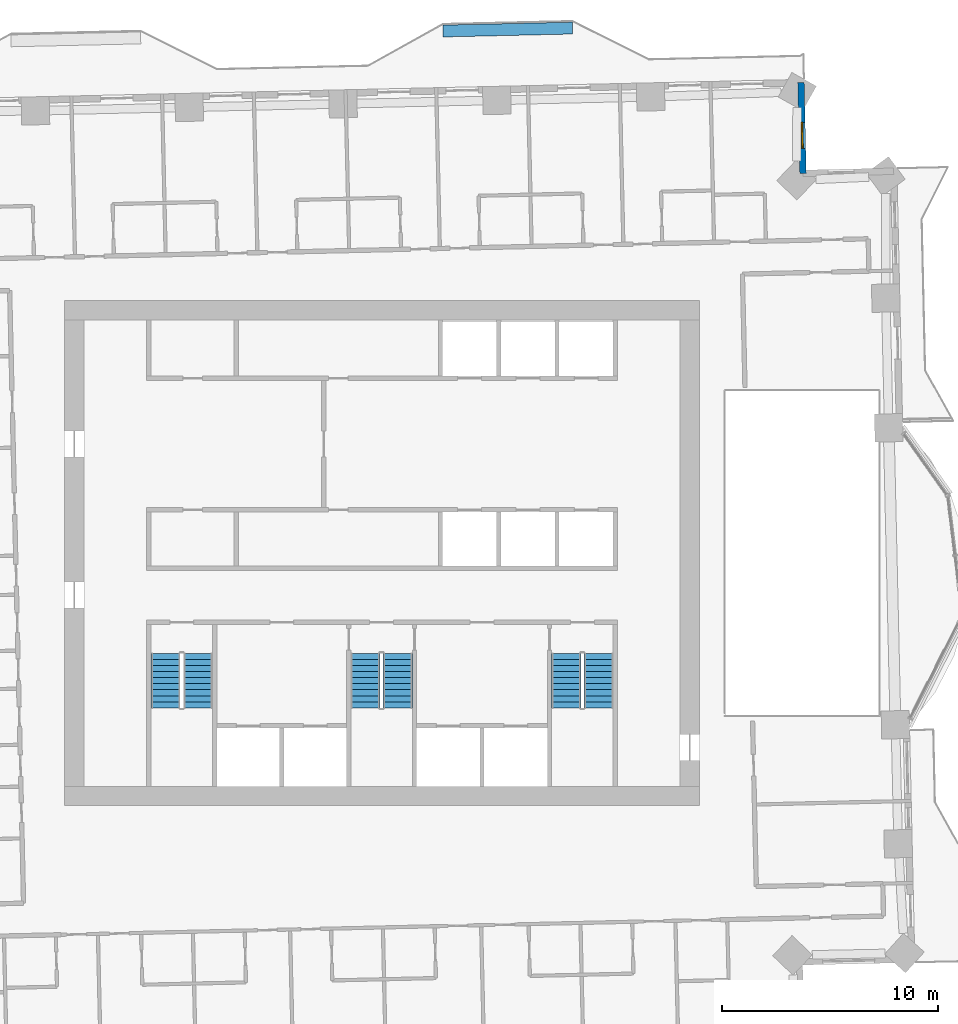
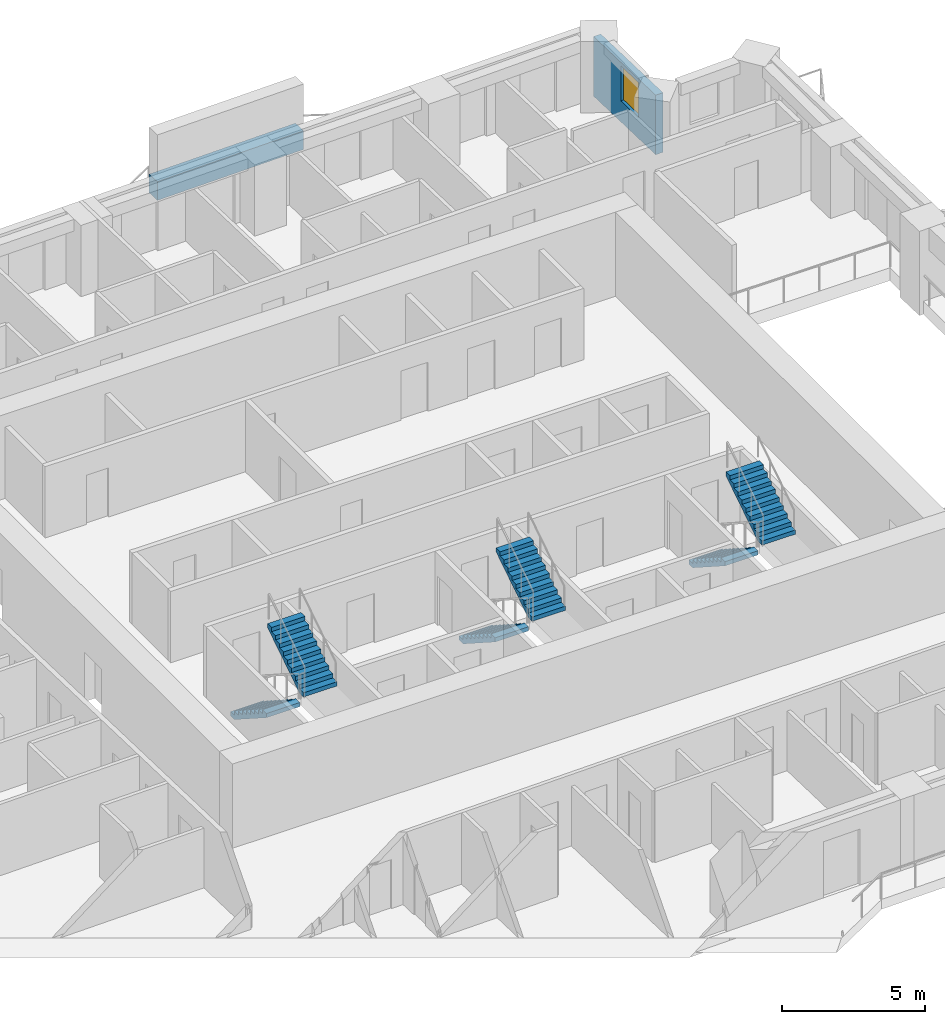
# One storey, part 12 of 16: 6 stair flights, 2 walls, 1 window, 1 opening, 3 elements without a shape of their own.
"""IFC4 building model written with IfcOpenShell, lengths in metres."""

from ifc_helpers import new_model, si_unit, direction, frame, frame_2d, origin, place, context, subcontext, project, spatial, polyline, rectangle, outline, extrude, material, layer, layer_set, type_object, element, fill, aggregate, save


model = new_model("IFC4")

# Units and contexts
model_context = context("Model", 3, precision=1e-05, world=origin(), true_north=direction((0.0, 1.0)))
body_context = subcontext(model_context, "Body", "Model", "MODEL_VIEW")
ifc_project = project(units=[si_unit("LENGTHUNIT", "METRE"), si_unit("AREAUNIT", "SQUARE_METRE"), si_unit("VOLUMEUNIT", "CUBIC_METRE"), si_unit("PLANEANGLEUNIT", "RADIAN"), si_unit("MASSUNIT", "GRAM", prefix="KILO")], contexts=[model_context])

# Site, building, storey
site_placement = place(None, origin())
site = spatial("IfcSite", under=ifc_project, at=site_placement, CompositionType="ELEMENT")
building_placement = place(site_placement, origin())
building = spatial("IfcBuilding", under=site, at=building_placement, Name="Mangrove Gate Tower", CompositionType="ELEMENT")
storey_placement = place(building_placement, frame((0.0, 0.0, 140.89990234375)))
storey = spatial("IfcBuildingStorey", under=building, at=storey_placement, Name="L35", CompositionType="ELEMENT", Elevation=140.89990234375)

# Wall, opening, window
ifc_material_1 = material(Name="Limestone", Category="masonry")
ifc_layer_1 = layer(ifc_material_1, 0.0400390625, Name="Limestone cladding")
ifc_material_2 = material(Name="Ventilated air gap")
ifc_layer_2 = layer(ifc_material_2, 0.0400390625, Name="Ventilated cavity")
ifc_material_3 = material(Name="Mineral wool insulation")
ifc_layer_3 = layer(ifc_material_3, 0.06005859375, Name="Insulation")
ifc_material_4 = material(Name="Breather membrane")
ifc_layer_4 = layer(ifc_material_4, 0.001953125, Name="Breather membrane")
ifc_material_5 = material(Name="Concrete C20/25 blockwork", Category="masonry")
ifc_layer_5 = layer(ifc_material_5, 0.14990234375, Name="Blockwork backing wall")
ifc_material_6 = material(Name="Gypsum plaster")
ifc_layer_6 = layer(ifc_material_6, 0.008056640625, Name="Internal plaster")
ifc_layer_set_1 = layer_set([ifc_layer_1, ifc_layer_2, ifc_layer_3, ifc_layer_4, ifc_layer_5, ifc_layer_6], Name="External wall 300 limestone cladding")
wall_type_1 = type_object("IfcWallType", Name="External wall 300 limestone cladding", PredefinedType="SOLIDWALL", material=ifc_layer_set_1)
wall_1_placement = place(storey_placement, frame((19.490966796875, 17.5830078125, 0.0), z_axis=(0.0, 0.0, 1.0), x_axis=(-0.022611811187, 0.999744320311, 0.0)))
wall_1 = element("IfcWall", 1, at=wall_1_placement, inside=storey, type_object=wall_type_1, Name="WALL-L35-E4", PredefinedType="SOLIDWALL", context=body_context, shape_type="SweptSolid", body=[
    extrude(rectangle(XDim=4.199951171875, YDim=0.300048828125, at=frame_2d((2.10009765625, 0.0))), origin(), (0.0, 0.0, 1.0), 2.550048828125),
])
opening_placement = place(wall_1_placement, frame((1.155029296875, 0.0, 0.89990234375)))
opening = element("IfcOpeningElement", 2, at=opening_placement, cuts=wall_1, Name="Opening W1", PredefinedType="OPENING", context=body_context, shape_type="SweptSolid", body=[
    extrude(rectangle(XDim=1.199951171875, YDim=1.5, at=frame_2d((0.60009765625, 0.75))), frame((0.0, 0.159912109375, 0.0), z_axis=(0.0, -1.0, 0.0), x_axis=(1.0, 0.0, 0.0)), (0.0, 0.0, 1.0), 0.320068359375),
])
ifc_material_7 = material(Name="Aluminium frame with double-glazed low-e glass", Category="aluminium")
window_type = type_object("IfcWindowType", Name="Side lite 1200x1500", PartitioningType="SINGLE_PANEL", PredefinedType="WINDOW", material=ifc_material_7)
window_placement = place(opening_placement, origin())
window = element("IfcWindow", 3, at=window_placement, inside=storey, type_object=window_type, Name="WIN-L35-E4-1", OverallHeight=1.5, OverallWidth=1.199951171875, PartitioningType="SINGLE_PANEL", PredefinedType="WINDOW", context=body_context, shape_type="SweptSolid", body=[
    extrude(rectangle(XDim=1.199951171875, YDim=1.5, at=frame_2d((0.60009765625, 0.75))), frame((0.0, 0.030029296875, 0.0), z_axis=(0.0, -1.0, 0.0), x_axis=(1.0, 0.0, 0.0)), (0.0, 0.0, 1.0), 0.06005859375),
])
fill(opening, window)

# Wall
ifc_material_8 = material(Name="Concrete C32/40", Category="concrete")
ifc_layer_7 = layer(ifc_material_8, 0.199951171875, Name="Planter trough wall")
ifc_material_9 = material(Name="Bituminous waterproofing membrane")
ifc_layer_8 = layer(ifc_material_9, 0.0048828125, Name="Waterproofing")
ifc_material_10 = material(Name="Drainage board and gravel")
ifc_layer_9 = layer(ifc_material_10, 0.044921875, Name="Drainage layer")
ifc_material_11 = material(Name="Planting soil")
ifc_layer_10 = layer(ifc_material_11, 0.300048828125, Name="Growing medium")
ifc_layer_set_2 = layer_set([ifc_layer_7, ifc_layer_8, ifc_layer_9, ifc_layer_10], Name="Planter wall 550 C32/40")
wall_type_2 = type_object("IfcWallType", Name="Planter wall 550 C32/40", PredefinedType="USERDEFINED", material=ifc_layer_set_2)
wall_2_placement = place(storey_placement, frame((2.81494140625, 24.172119140625, 0.0), z_axis=(0.0, 0.0, 1.0), x_axis=(0.999743094499, 0.022665943652, 0.0)))
element("IfcWall", 4, at=wall_2_placement, inside=storey, type_object=wall_type_2, Name="PLANTER L35 N0.1", ObjectType="PLANTER", PredefinedType="USERDEFINED", context=body_context, shape_type="SweptSolid", body=[
    extrude(rectangle(XDim=5.99951171875, YDim=0.550048828125, at=frame_2d((2.999755859375, 0.0))), origin(), (0.0, 0.0, 1.0), 0.800048828125),
])

# Stair, stair flights
ifc_material_12 = material(Name="Concrete C40/50", Category="concrete")
stair_type = type_object("IfcStairType", Name="Core stair 1350", PredefinedType="HALF_TURN_STAIR", material=ifc_material_12)
stair_1_placement = place(storey_placement, origin())
stair_1 = element("IfcStair", 5, at=stair_1_placement, inside=storey, type_object=stair_type, Name="L35 Stair 1", PredefinedType="HALF_TURN_STAIR")
ifc_material_13 = material(Name="Concrete C40/50", Category="concrete")
stair_flight_type = type_object("IfcStairFlightType", Name="Core stair flight 1350", PredefinedType="STRAIGHT", material=ifc_material_13)
stair_flight_1_placement = place(storey_placement, frame((-10.02490234375, -4.64990234375, 0.0), z_axis=(0.0, 0.0, 1.0), x_axis=(0.0, -1.0, 0.0)))
stair_flight_1 = element("IfcStairFlight", 6, at=stair_flight_1_placement, type_object=stair_flight_type, Name="ST1 flight 1", NumberOfRisers=10, NumberOfTreads=9, PredefinedType="STRAIGHT", RiserHeight=0.18, TreadLength=0.28, context=body_context, shape_type="SweptSolid", body=[
    extrude(outline(polyline([(0.0, 0.0), (0.0, 0.179931640625), (0.280029296875, 0.179931640625), (0.280029296875, 0.360107421875), (0.56005859375, 0.360107421875), (0.56005859375, 0.5400390625), (0.840087890625, 0.5400390625), (0.840087890625, 0.719970703125), (1.1201171875, 0.719970703125), (1.1201171875, 0.89990234375), (1.39990234375, 0.89990234375), (1.39990234375, 1.080078125), (1.679931640625, 1.080078125), (1.679931640625, 1.260009765625), (1.9599609375, 1.260009765625), (1.9599609375, 1.43994140625), (2.239990234375, 1.43994140625), (2.239990234375, 1.6201171875), (2.52001953125, 1.6201171875), (2.52001953125, 1.800048828125), (2.52001953125, 1.44189453125), (0.277099609375, 0.0), (0.0, 0.0)])), frame((0.0, 0.675048828125, 0.0), z_axis=(0.0, -1.0, 0.0), x_axis=(1.0, 0.0, 0.0)), (0.0, 0.0, 1.0), 1.35009765625),
])
stair_flight_2_placement = place(storey_placement, frame((-8.52490234375, -7.169921875, 1.800048828125), z_axis=(0.0, 0.0, 1.0), x_axis=(0.0, 1.0, 0.0)))
stair_flight_2 = element("IfcStairFlight", 7, at=stair_flight_2_placement, type_object=stair_flight_type, Name="ST1 flight 2", NumberOfRisers=10, NumberOfTreads=9, PredefinedType="STRAIGHT", RiserHeight=0.18, TreadLength=0.28, context=body_context, shape_type="SweptSolid", body=[
    extrude(outline(polyline([(0.0, 0.0), (0.0, 0.179931640625), (0.280029296875, 0.179931640625), (0.280029296875, 0.360107421875), (0.56005859375, 0.360107421875), (0.56005859375, 0.5400390625), (0.840087890625, 0.5400390625), (0.840087890625, 0.719970703125), (1.1201171875, 0.719970703125), (1.1201171875, 0.89990234375), (1.39990234375, 0.89990234375), (1.39990234375, 1.080078125), (1.679931640625, 1.080078125), (1.679931640625, 1.260009765625), (1.9599609375, 1.260009765625), (1.9599609375, 1.43994140625), (2.239990234375, 1.43994140625), (2.239990234375, 1.6201171875), (2.52001953125, 1.6201171875), (2.52001953125, 1.800048828125), (2.52001953125, 1.44189453125), (0.277099609375, 0.0), (0.0, 0.0)])), frame((0.0, 0.675048828125, 0.0), z_axis=(0.0, -1.0, 0.0), x_axis=(1.0, 0.0, 0.0)), (0.0, 0.0, 1.0), 1.35009765625),
])
aggregate(stair_1, [stair_flight_1, stair_flight_2])

stair_2_placement = place(storey_placement, origin())
stair_2 = element("IfcStair", 8, at=stair_2_placement, inside=storey, type_object=stair_type, Name="L35 Stair 2", PredefinedType="HALF_TURN_STAIR")
stair_flight_3_placement = place(storey_placement, frame((-0.77490234375, -4.64990234375, 0.0), z_axis=(0.0, 0.0, 1.0), x_axis=(0.0, -1.0, 0.0)))
stair_flight_3 = element("IfcStairFlight", 9, at=stair_flight_3_placement, type_object=stair_flight_type, Name="ST2 flight 1", NumberOfRisers=10, NumberOfTreads=9, PredefinedType="STRAIGHT", RiserHeight=0.18, TreadLength=0.28, context=body_context, shape_type="SweptSolid", body=[
    extrude(outline(polyline([(0.0, 0.0), (0.0, 0.179931640625), (0.280029296875, 0.179931640625), (0.280029296875, 0.360107421875), (0.56005859375, 0.360107421875), (0.56005859375, 0.5400390625), (0.840087890625, 0.5400390625), (0.840087890625, 0.719970703125), (1.1201171875, 0.719970703125), (1.1201171875, 0.89990234375), (1.39990234375, 0.89990234375), (1.39990234375, 1.080078125), (1.679931640625, 1.080078125), (1.679931640625, 1.260009765625), (1.9599609375, 1.260009765625), (1.9599609375, 1.43994140625), (2.239990234375, 1.43994140625), (2.239990234375, 1.6201171875), (2.52001953125, 1.6201171875), (2.52001953125, 1.800048828125), (2.52001953125, 1.44189453125), (0.277099609375, 0.0), (0.0, 0.0)])), frame((0.0, 0.675048828125, 0.0), z_axis=(0.0, -1.0, 0.0), x_axis=(1.0, 0.0, 0.0)), (0.0, 0.0, 1.0), 1.35009765625),
])
stair_flight_4_placement = place(storey_placement, frame((0.72509765625, -7.169921875, 1.800048828125), z_axis=(0.0, 0.0, 1.0), x_axis=(0.0, 1.0, 0.0)))
stair_flight_4 = element("IfcStairFlight", 10, at=stair_flight_4_placement, type_object=stair_flight_type, Name="ST2 flight 2", NumberOfRisers=10, NumberOfTreads=9, PredefinedType="STRAIGHT", RiserHeight=0.18, TreadLength=0.28, context=body_context, shape_type="SweptSolid", body=[
    extrude(outline(polyline([(0.0, 0.0), (0.0, 0.179931640625), (0.280029296875, 0.179931640625), (0.280029296875, 0.360107421875), (0.56005859375, 0.360107421875), (0.56005859375, 0.5400390625), (0.840087890625, 0.5400390625), (0.840087890625, 0.719970703125), (1.1201171875, 0.719970703125), (1.1201171875, 0.89990234375), (1.39990234375, 0.89990234375), (1.39990234375, 1.080078125), (1.679931640625, 1.080078125), (1.679931640625, 1.260009765625), (1.9599609375, 1.260009765625), (1.9599609375, 1.43994140625), (2.239990234375, 1.43994140625), (2.239990234375, 1.6201171875), (2.52001953125, 1.6201171875), (2.52001953125, 1.800048828125), (2.52001953125, 1.44189453125), (0.277099609375, 0.0), (0.0, 0.0)])), frame((0.0, 0.675048828125, 0.0), z_axis=(0.0, -1.0, 0.0), x_axis=(1.0, 0.0, 0.0)), (0.0, 0.0, 1.0), 1.35009765625),
])
aggregate(stair_2, [stair_flight_3, stair_flight_4])

stair_3_placement = place(storey_placement, origin())
stair_3 = element("IfcStair", 11, at=stair_3_placement, inside=storey, type_object=stair_type, Name="L35 Stair 3", PredefinedType="HALF_TURN_STAIR")
stair_flight_5_placement = place(storey_placement, frame((8.52490234375, -4.64990234375, 0.0), z_axis=(0.0, 0.0, 1.0), x_axis=(0.0, -1.0, 0.0)))
stair_flight_5 = element("IfcStairFlight", 12, at=stair_flight_5_placement, type_object=stair_flight_type, Name="ST3 flight 1", NumberOfRisers=10, NumberOfTreads=9, PredefinedType="STRAIGHT", RiserHeight=0.18, TreadLength=0.28, context=body_context, shape_type="SweptSolid", body=[
    extrude(outline(polyline([(0.0, 0.0), (0.0, 0.179931640625), (0.280029296875, 0.179931640625), (0.280029296875, 0.360107421875), (0.56005859375, 0.360107421875), (0.56005859375, 0.5400390625), (0.840087890625, 0.5400390625), (0.840087890625, 0.719970703125), (1.1201171875, 0.719970703125), (1.1201171875, 0.89990234375), (1.39990234375, 0.89990234375), (1.39990234375, 1.080078125), (1.679931640625, 1.080078125), (1.679931640625, 1.260009765625), (1.9599609375, 1.260009765625), (1.9599609375, 1.43994140625), (2.239990234375, 1.43994140625), (2.239990234375, 1.6201171875), (2.52001953125, 1.6201171875), (2.52001953125, 1.800048828125), (2.52001953125, 1.44189453125), (0.277099609375, 0.0), (0.0, 0.0)])), frame((0.0, 0.675048828125, 0.0), z_axis=(0.0, -1.0, 0.0), x_axis=(1.0, 0.0, 0.0)), (0.0, 0.0, 1.0), 1.35009765625),
])
stair_flight_6_placement = place(storey_placement, frame((10.02490234375, -7.169921875, 1.800048828125), z_axis=(0.0, 0.0, 1.0), x_axis=(0.0, 1.0, 0.0)))
stair_flight_6 = element("IfcStairFlight", 13, at=stair_flight_6_placement, type_object=stair_flight_type, Name="ST3 flight 2", NumberOfRisers=10, NumberOfTreads=9, PredefinedType="STRAIGHT", RiserHeight=0.18, TreadLength=0.28, context=body_context, shape_type="SweptSolid", body=[
    extrude(outline(polyline([(0.0, 0.0), (0.0, 0.179931640625), (0.280029296875, 0.179931640625), (0.280029296875, 0.360107421875), (0.56005859375, 0.360107421875), (0.56005859375, 0.5400390625), (0.840087890625, 0.5400390625), (0.840087890625, 0.719970703125), (1.1201171875, 0.719970703125), (1.1201171875, 0.89990234375), (1.39990234375, 0.89990234375), (1.39990234375, 1.080078125), (1.679931640625, 1.080078125), (1.679931640625, 1.260009765625), (1.9599609375, 1.260009765625), (1.9599609375, 1.43994140625), (2.239990234375, 1.43994140625), (2.239990234375, 1.6201171875), (2.52001953125, 1.6201171875), (2.52001953125, 1.800048828125), (2.52001953125, 1.44189453125), (0.277099609375, 0.0), (0.0, 0.0)])), frame((0.0, 0.675048828125, 0.0), z_axis=(0.0, -1.0, 0.0), x_axis=(1.0, 0.0, 0.0)), (0.0, 0.0, 1.0), 1.35009765625),
])
aggregate(stair_3, [stair_flight_5, stair_flight_6])

save(model, "model.ifc")
